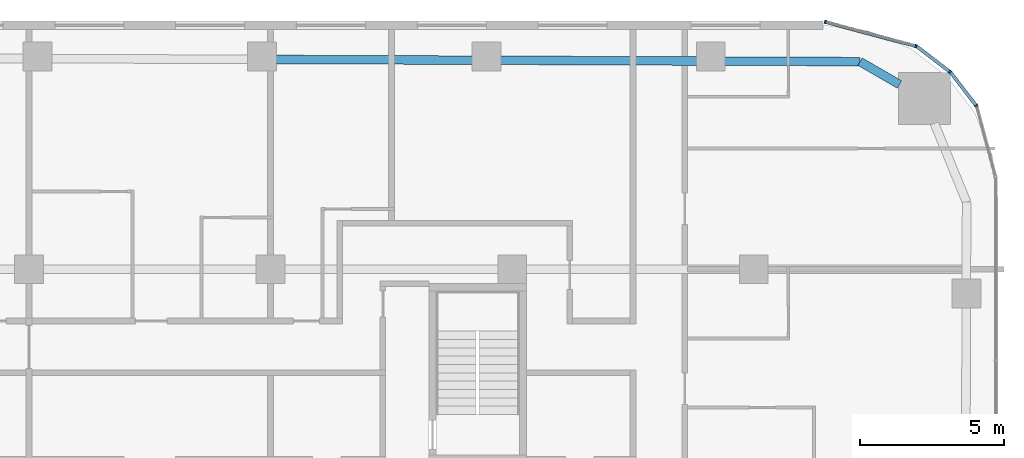
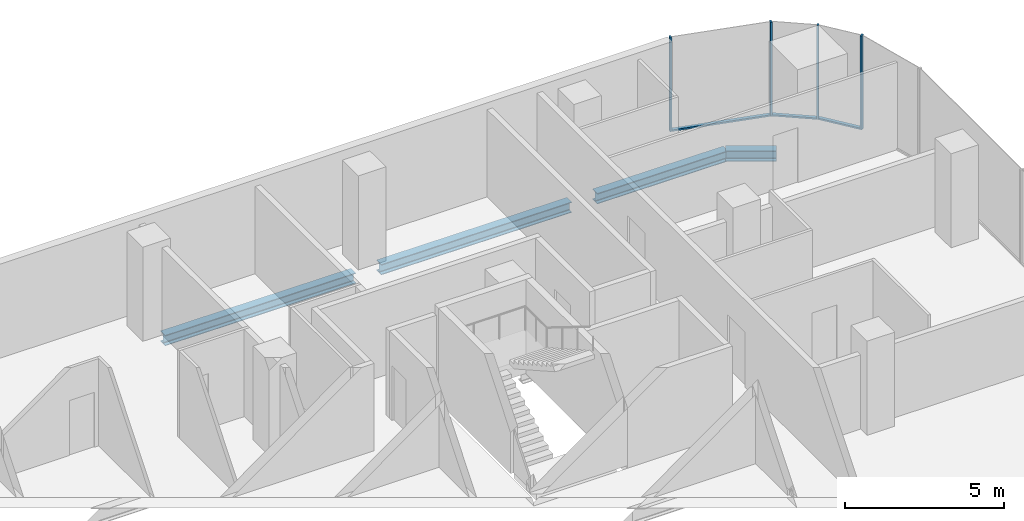
# One storey, part 13 of 26: 7 members, 4 beams, 3 elements without a shape of their own.
"""IFC4 building model written with IfcOpenShell, lengths in metres."""

from ifc_helpers import new_model, si_unit, direction, frame, origin, origin_2d, place, context, subcontext, project, spatial, rectangle, i_section, extrude, material, layer, layer_set, material_profile, profile_set, type_object, element, aggregate, save


model = new_model("IFC4")

# Units and contexts
model_context = context("Model", 3, precision=1e-05, world=origin(), true_north=direction((0.0, 1.0)))
body_context = subcontext(model_context, "Body", "Model", "MODEL_VIEW")
ifc_project = project(units=[si_unit("LENGTHUNIT", "METRE"), si_unit("AREAUNIT", "SQUARE_METRE"), si_unit("VOLUMEUNIT", "CUBIC_METRE"), si_unit("PLANEANGLEUNIT", "RADIAN"), si_unit("MASSUNIT", "GRAM", prefix="KILO")], contexts=[model_context])

# Site, building, storey
site_placement = place(None, origin())
site = spatial("IfcSite", under=ifc_project, at=site_placement, CompositionType="ELEMENT")
building_placement = place(site_placement, origin())
building = spatial("IfcBuilding", under=site, at=building_placement, Name="Marenta Gate Hotel Tower", CompositionType="ELEMENT")
storey_placement = place(building_placement, frame((0.0, 0.0, 58.10009765625)))
storey = spatial("IfcBuildingStorey", under=building, at=storey_placement, Name="L12", CompositionType="ELEMENT", Elevation=58.10009765625)

# Beams
ifc_material_1 = material(Name="Steel S355", Category="steel")
ifc_material_profile_1 = material_profile(ifc_material_1, i_section(OverallWidth=0.300048828125, OverallDepth=0.39990234375, WebThickness=0.013427734375, FlangeThickness=0.02392578125, FilletRadius=0.027099609375, at=origin_2d()), Name="HEB 400")
ifc_profile_set_1 = profile_set([ifc_material_profile_1], Name="Steel S355")
beam_type = type_object("IfcBeamType", Name="Edge beam HEB 400", PredefinedType="SPANDREL", material=ifc_profile_set_1)
for number, where, z_axis, x_axis, name in (
    (1, (4.361328125, 32.4970703125, -0.460205078125), (0.999993064268, -0.003724435008, 0.0), (0.003724435008, 0.999993064268, 0.0), "L12-EB-17"),
    (2, (12.1640625, 32.468017578125, -0.460205078125), (0.999993064268, -0.003724435008, 0.0), (0.003724435008, 0.999993064268, 0.0), "L12-EB-18"),
):
    element("IfcBeam", number, at=place(storey_placement, frame(where, z_axis=z_axis, x_axis=x_axis)), inside=storey, type_object=beam_type, Name=name, PredefinedType="SPANDREL", context=body_context, shape_type="SweptSolid", body=[
        extrude(i_section(OverallWidth=0.300048828125, OverallDepth=0.39990234375, WebThickness=0.013427734375, FlangeThickness=0.02392578125, FilletRadius=0.027099609375, at=origin_2d()), origin(), (0.0, 0.0, 1.0), 6.8828125),
    ])
beam_1_placement = place(storey_placement, frame((19.966796875, 32.43896484375, -0.460205078125), z_axis=(0.999993080272, -0.003720135464, 0.0), x_axis=(0.003720135464, 0.999993080272, 0.0)))
element("IfcBeam", 3, at=beam_1_placement, inside=storey, type_object=beam_type, Name="L12-EB-19", PredefinedType="SPANDREL", context=body_context, shape_type="SweptSolid", body=[
    extrude(i_section(OverallWidth=0.300048828125, OverallDepth=0.39990234375, WebThickness=0.013427734375, FlangeThickness=0.02392578125, FilletRadius=0.027099609375, at=origin_2d()), origin(), (0.0, 0.0, 1.0), 4.72509765625),
])
beam_2_placement = place(storey_placement, frame((24.69189453125, 32.42138671875, -0.460205078125), z_axis=(0.865968422476, -0.500098681536, 0.0), x_axis=(0.500098681536, 0.865968422476, 0.0)))
element("IfcBeam", 4, at=beam_2_placement, inside=storey, type_object=beam_type, Name="L12-EB-20", PredefinedType="SPANDREL", context=body_context, shape_type="SweptSolid", body=[
    extrude(i_section(OverallWidth=0.300048828125, OverallDepth=0.39990234375, WebThickness=0.013427734375, FlangeThickness=0.02392578125, FilletRadius=0.027099609375, at=origin_2d()), origin(), (0.0, 0.0, 1.0), 1.591552734375),
])

# Curtain wall, member
ifc_material_2 = material(Name="Tinted insulated glass in bronze anodised frame", Category="glass")
ifc_layer = layer(ifc_material_2, 0.1201171875)
ifc_layer_set = layer_set([ifc_layer], Name="Tinted insulated glass in bronze anodised frame")
curtain_wall_type = type_object("IfcCurtainWallType", Name="Tower unitised curtain wall CW1", PredefinedType="NOTDEFINED", material=ifc_layer_set)
curtain_wall_1_placement = place(storey_placement, origin())
curtain_wall_1 = element("IfcCurtainWall", 5, at=curtain_wall_1_placement, inside=storey, type_object=curtain_wall_type, Name="CW1 run G13", PredefinedType="NOTDEFINED")
ifc_material_3 = material(Name="Bronze anodised aluminium", Category="aluminium")
ifc_material_profile_2 = material_profile(ifc_material_3, rectangle(XDim=0.1201171875, YDim=0.06005859375, at=origin_2d()), Name="Mullion CW1 60x120 bronze anodised aluminium")
ifc_profile_set_2 = profile_set([ifc_material_profile_2], Name="Bronze anodised aluminium")
member_type_1 = type_object("IfcMemberType", Name="Mullion CW1 60x120 bronze anodised aluminium", PredefinedType="MULLION", material=ifc_profile_set_2)
member_1_placement = place(storey_placement, frame((28.733154296875, 30.888916015625, 0.0), z_axis=(0.0, 0.0, 1.0), x_axis=(-0.79333801153, -0.608781405318, 0.0)))
member_1 = element("IfcMember", 6, at=member_1_placement, type_object=member_type_1, Name="CW1 mullion 1", PredefinedType="MULLION", context=body_context, shape_type="SweptSolid", body=[
    extrude(rectangle(XDim=0.1201171875, YDim=0.06005859375, at=origin_2d()), origin(), (0.0, 0.0, 1.0), 3.599853515625),
])

curtain_wall_2_placement = place(storey_placement, origin())
curtain_wall_2 = element("IfcCurtainWall", 7, at=curtain_wall_2_placement, inside=storey, type_object=curtain_wall_type, Name="CW1 run G14", PredefinedType="NOTDEFINED")
member_2_placement = place(storey_placement, frame((27.82177734375, 32.063720703125, 0.0), z_axis=(0.0, 0.0, 1.0), x_axis=(-0.608781405318, -0.79333801153, 0.0)))
member_2 = element("IfcMember", 8, at=member_2_placement, type_object=member_type_1, Name="CW1 mullion 1", PredefinedType="MULLION", context=body_context, shape_type="SweptSolid", body=[
    extrude(rectangle(XDim=0.1201171875, YDim=0.06005859375, at=origin_2d()), origin(), (0.0, 0.0, 1.0), 3.599853515625),
])

# Curtain wall, members
curtain_wall_3_placement = place(storey_placement, origin())
curtain_wall_3 = element("IfcCurtainWall", 9, at=curtain_wall_3_placement, inside=storey, type_object=curtain_wall_type, Name="CW1 run G15", PredefinedType="NOTDEFINED")
member_3_placement = place(storey_placement, frame((26.63623046875, 32.958984375, 0.0), z_axis=(0.0, 0.0, 1.0), x_axis=(-0.258807310344, -0.965928970532, 0.0)))
member_3 = element("IfcMember", 10, at=member_3_placement, type_object=member_type_1, Name="CW1 mullion 1", PredefinedType="MULLION", context=body_context, shape_type="SweptSolid", body=[
    extrude(rectangle(XDim=0.1201171875, YDim=0.06005859375, at=origin_2d()), origin(), (0.0, 0.0, 1.0), 3.599853515625),
])
member_4_placement = place(storey_placement, frame((23.485595703125, 33.80322265625, 0.0), z_axis=(0.0, 0.0, 1.0), x_axis=(-0.258807310344, -0.965928970532, 0.0)))
member_4 = element("IfcMember", 11, at=member_4_placement, type_object=member_type_1, Name="CW1 mullion 2", PredefinedType="MULLION", context=body_context, shape_type="SweptSolid", body=[
    extrude(rectangle(XDim=0.1201171875, YDim=0.06005859375, at=origin_2d()), origin(), (0.0, 0.0, 1.0), 3.599853515625),
])

# Member
ifc_material_4 = material(Name="Bronze anodised aluminium", Category="aluminium")
ifc_material_profile_3 = material_profile(ifc_material_4, rectangle(XDim=0.1201171875, YDim=0.06005859375, at=origin_2d()), Name="Transom CW1 60x120 bronze anodised aluminium")
ifc_profile_set_3 = profile_set([ifc_material_profile_3], Name="Bronze anodised aluminium")
member_type_2 = type_object("IfcMemberType", Name="Transom CW1 60x120 bronze anodised aluminium", PredefinedType="USERDEFINED", material=ifc_profile_set_3)
member_5_placement = place(storey_placement, frame((28.71484375, 30.91259765625, 0.02978515625), z_axis=(-0.60882629199, 0.793303564963, 0.0), x_axis=(-0.793303564963, -0.60882629199, 0.0)))
member_5 = element("IfcMember", 12, at=member_5_placement, type_object=member_type_2, Name="CW1 transom 1.1", ObjectType="TRANSOM", PredefinedType="USERDEFINED", context=body_context, shape_type="SweptSolid", body=[
    extrude(rectangle(XDim=0.1201171875, YDim=0.06005859375, at=origin_2d()), origin(), (0.0, 0.0, 1.0), 1.427978515625),
])

aggregate(curtain_wall_1, [member_1, member_5])

member_6_placement = place(storey_placement, frame((27.7978515625, 32.08203125, 0.02978515625), z_axis=(-0.793303564963, 0.60882629199, 0.0), x_axis=(-0.60882629199, -0.793303564963, 0.0)))
member_6 = element("IfcMember", 13, at=member_6_placement, type_object=member_type_2, Name="CW1 transom 1.1", ObjectType="TRANSOM", PredefinedType="USERDEFINED", context=body_context, shape_type="SweptSolid", body=[
    extrude(rectangle(XDim=0.1201171875, YDim=0.06005859375, at=origin_2d()), origin(), (0.0, 0.0, 1.0), 1.427978515625),
])

aggregate(curtain_wall_2, [member_2, member_6])

member_7_placement = place(storey_placement, frame((26.607177734375, 32.966796875, 0.02978515625), z_axis=(-0.965933076693, 0.258791984709, 0.0), x_axis=(-0.258791984709, -0.965933076693, 0.0)))
member_7 = element("IfcMember", 14, at=member_7_placement, type_object=member_type_2, Name="CW1 transom 1.1", ObjectType="TRANSOM", PredefinedType="USERDEFINED", context=body_context, shape_type="SweptSolid", body=[
    extrude(rectangle(XDim=0.1201171875, YDim=0.06005859375, at=origin_2d()), origin(), (0.0, 0.0, 1.0), 3.201904296875),
])

aggregate(curtain_wall_3, [member_3, member_4, member_7])

save(model, "model.ifc")
